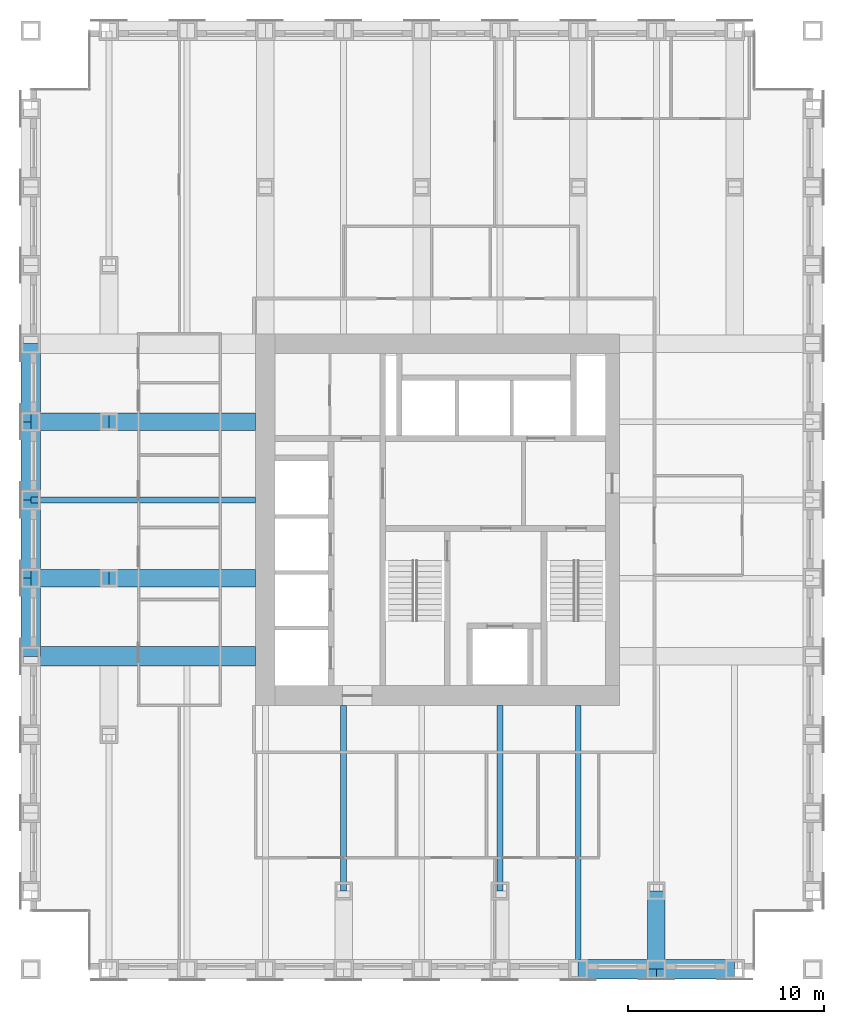
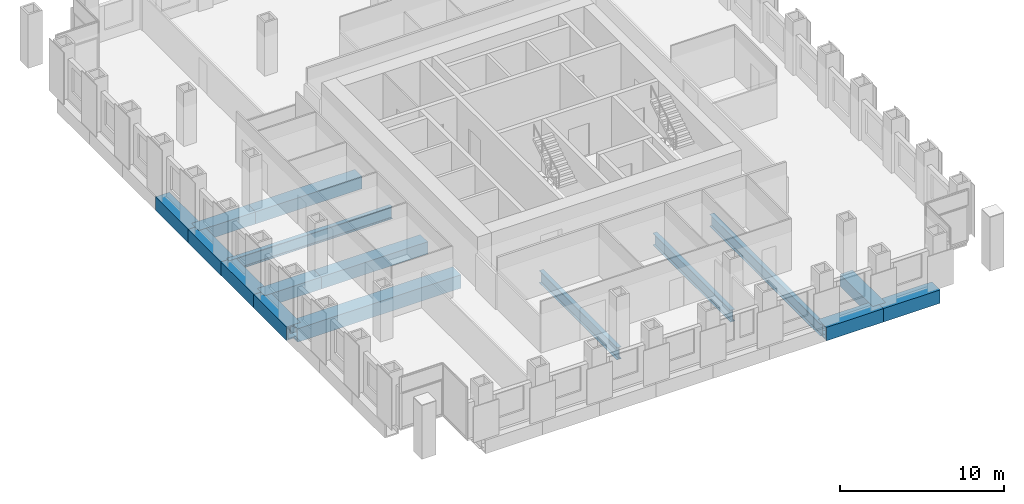
# One storey, part 3 of 12: 16 beams.
"""IFC4 building model written with IfcOpenShell, lengths in metres."""

from ifc_helpers import new_model, si_unit, direction, frame, origin, origin_2d, place, context, subcontext, project, spatial, hollow_rectangle, i_section, extrude, material, material_profile, profile_set, type_object, element, save


model = new_model("IFC4")

# Units and contexts
model_context = context("Model", 3, precision=1e-05, world=origin(), true_north=direction((0.0, 1.0)))
body_context = subcontext(model_context, "Body", "Model", "MODEL_VIEW")
ifc_project = project(units=[si_unit("LENGTHUNIT", "METRE"), si_unit("AREAUNIT", "SQUARE_METRE"), si_unit("VOLUMEUNIT", "CUBIC_METRE"), si_unit("PLANEANGLEUNIT", "RADIAN"), si_unit("MASSUNIT", "GRAM", prefix="KILO")], contexts=[model_context])

# Site, building, storey
site_placement = place(None, origin())
site = spatial("IfcSite", under=ifc_project, at=site_placement, CompositionType="ELEMENT")
building_placement = place(site_placement, origin())
building = spatial("IfcBuilding", under=site, at=building_placement, Name="Rimbunsela Tower", CompositionType="ELEMENT")
storey_placement = place(building_placement, frame((0.0, 0.0, 167.800048828125)))
storey = spatial("IfcBuildingStorey", under=building, at=storey_placement, Name="L40", CompositionType="ELEMENT", Elevation=167.800048828125)

# Beams
ifc_material_1 = material(Name="Steel BJ 55 (fy 410 MPa)", Category="steel")
ifc_material_profile_1 = material_profile(ifc_material_1, hollow_rectangle(XDim=1.0, YDim=1.0, WallThickness=0.10009765625, at=origin_2d()), Name="BOX 1000x1000x100")
ifc_profile_set_1 = profile_set([ifc_material_profile_1], Name="Steel BJ 55 (fy 410 MPa)")
beam_type_1 = type_object("IfcBeamType", Name="Beam BOX 1000x1000x100", PredefinedType="BEAM", material=ifc_profile_set_1)
beam_1_placement = place(storey_placement, frame((6.0, 20.0, -0.650146484375), z_axis=(0.0, 1.0, 0.0), x_axis=(-1.0, 0.0, 0.0)))
element("IfcBeam", 1, at=beam_1_placement, inside=storey, type_object=beam_type_1, Name="Beam B3 L40", PredefinedType="BEAM", context=body_context, shape_type="SweptSolid", body=[
    extrude(hollow_rectangle(XDim=1.0, YDim=1.0, WallThickness=0.10009765625, at=origin_2d()), origin(), (0.0, 0.0, 1.0), 4.0),
])
beam_2_placement = place(storey_placement, frame((6.0, 20.0, -0.650146484375), z_axis=(1.0, 0.0, 0.0), x_axis=(0.0, 1.0, 0.0)))
element("IfcBeam", 2, at=beam_2_placement, inside=storey, type_object=beam_type_1, Name="Beam B3 L40", PredefinedType="BEAM", context=body_context, shape_type="SweptSolid", body=[
    extrude(hollow_rectangle(XDim=1.0, YDim=1.0, WallThickness=0.10009765625, at=origin_2d()), origin(), (0.0, 0.0, 1.0), 11.5),
])
for number, where, z_axis, x_axis, name in (
    (3, (6.0, 24.0, -0.650146484375), (0.0, 1.0, 0.0), (-1.0, 0.0, 0.0), "Beam B3 L40"),
    (4, (6.0, 28.0, -0.650146484375), (0.0, 1.0, 0.0), (-1.0, 0.0, 0.0), "Beam B3 L40"),
    (5, (6.0, 32.0, -0.650146484375), (0.0, 1.0, 0.0), (-1.0, 0.0, 0.0), "Beam B3 L40"),
    (6, (34.0, 4.0, -0.650146484375), (1.0, 0.0, 0.0), (0.0, 1.0, 0.0), "Beam B3 L40"),
    (7, (38.0, 4.0, -0.650146484375), (1.0, 0.0, 0.0), (0.0, 1.0, 0.0), "Beam B3 L40"),
):
    element("IfcBeam", number, at=place(storey_placement, frame(where, z_axis=z_axis, x_axis=x_axis)), inside=storey, type_object=beam_type_1, Name=name, PredefinedType="BEAM", context=body_context, shape_type="SweptSolid", body=[
        extrude(hollow_rectangle(XDim=1.0, YDim=1.0, WallThickness=0.10009765625, at=origin_2d()), origin(), (0.0, 0.0, 1.0), 4.0),
    ])
ifc_material_2 = material(Name="Steel BJ 55 (fy 410 MPa)", Category="steel")
ifc_material_profile_2 = material_profile(ifc_material_2, hollow_rectangle(XDim=0.89990234375, YDim=0.89990234375, WallThickness=0.06005859375, at=origin_2d()), Name="BOX 900x900x60")
ifc_profile_set_2 = profile_set([ifc_material_profile_2], Name="Steel BJ 55 (fy 410 MPa)")
beam_type_2 = type_object("IfcBeamType", Name="Beam BOX 900x900x60", PredefinedType="BEAM", material=ifc_profile_set_2)
for number, where, z_axis, x_axis, name in (
    (8, (6.0, 24.0, -0.60009765625), (1.0, 0.0, 0.0), (0.0, 1.0, 0.0), "Beam B1 L40"),
    (9, (6.0, 32.0, -0.60009765625), (1.0, 0.0, 0.0), (0.0, 1.0, 0.0), "Beam B1 L40"),
):
    element("IfcBeam", number, at=place(storey_placement, frame(where, z_axis=z_axis, x_axis=x_axis)), inside=storey, type_object=beam_type_2, Name=name, PredefinedType="BEAM", context=body_context, shape_type="SweptSolid", body=[
        extrude(hollow_rectangle(XDim=0.89990234375, YDim=0.89990234375, WallThickness=0.06005859375, at=origin_2d()), origin(), (0.0, 0.0, 1.0), 4.0),
    ])
for number, where, z_axis, x_axis, name in (
    (10, (10.0, 24.0, -0.60009765625), (1.0, 0.0, 0.0), (0.0, 1.0, 0.0), "Beam B1 L40"),
    (11, (10.0, 32.0, -0.60009765625), (1.0, 0.0, 0.0), (0.0, 1.0, 0.0), "Beam B1 L40"),
):
    element("IfcBeam", number, at=place(storey_placement, frame(where, z_axis=z_axis, x_axis=x_axis)), inside=storey, type_object=beam_type_2, Name=name, PredefinedType="BEAM", context=body_context, shape_type="SweptSolid", body=[
        extrude(hollow_rectangle(XDim=0.89990234375, YDim=0.89990234375, WallThickness=0.06005859375, at=origin_2d()), origin(), (0.0, 0.0, 1.0), 7.5),
    ])
beam_3_placement = place(storey_placement, frame((38.0, 4.0, -0.60009765625), z_axis=(0.0, 1.0, 0.0), x_axis=(-1.0, 0.0, 0.0)))
element("IfcBeam", 12, at=beam_3_placement, inside=storey, type_object=beam_type_2, Name="Beam B1 L40", PredefinedType="BEAM", context=body_context, shape_type="SweptSolid", body=[
    extrude(hollow_rectangle(XDim=0.89990234375, YDim=0.89990234375, WallThickness=0.06005859375, at=origin_2d()), origin(), (0.0, 0.0, 1.0), 4.0),
])
ifc_material_3 = material(Name="Steel BJ 55 (fy 410 MPa)", Category="steel")
ifc_material_profile_3 = material_profile(ifc_material_3, i_section(OverallWidth=0.300048828125, OverallDepth=0.89990234375, WebThickness=0.01611328125, FlangeThickness=0.028076171875, FilletRadius=0.028076171875, at=origin_2d()), Name="H 900x300x16x28")
ifc_profile_set_3 = profile_set([ifc_material_profile_3], Name="Steel BJ 55 (fy 410 MPa)")
beam_type_3 = type_object("IfcBeamType", Name="Beam H 900x300x16x28", PredefinedType="BEAM", material=ifc_profile_set_3)
beam_4_placement = place(storey_placement, frame((6.0, 28.0, -0.60009765625), z_axis=(1.0, 0.0, 0.0), x_axis=(0.0, 1.0, 0.0)))
element("IfcBeam", 13, at=beam_4_placement, inside=storey, type_object=beam_type_3, Name="Beam B2 L40", PredefinedType="BEAM", context=body_context, shape_type="SweptSolid", body=[
    extrude(i_section(OverallWidth=0.300048828125, OverallDepth=0.89990234375, WebThickness=0.01611328125, FlangeThickness=0.028076171875, FilletRadius=0.028076171875, at=origin_2d()), origin(), (0.0, 0.0, 1.0), 11.5),
])
for number, where, z_axis, x_axis, name in (
    (14, (22.0, 8.0, -0.60009765625), (0.0, 1.0, 0.0), (-1.0, 0.0, 0.0), "Beam B2 L40"),
    (15, (30.0, 8.0, -0.60009765625), (0.0, 1.0, 0.0), (-1.0, 0.0, 0.0), "Beam B2 L40"),
):
    element("IfcBeam", number, at=place(storey_placement, frame(where, z_axis=z_axis, x_axis=x_axis)), inside=storey, type_object=beam_type_3, Name=name, PredefinedType="BEAM", context=body_context, shape_type="SweptSolid", body=[
        extrude(i_section(OverallWidth=0.300048828125, OverallDepth=0.89990234375, WebThickness=0.01611328125, FlangeThickness=0.028076171875, FilletRadius=0.028076171875, at=origin_2d()), origin(), (0.0, 0.0, 1.0), 9.5),
    ])
beam_5_placement = place(storey_placement, frame((34.0, 4.0, -0.60009765625), z_axis=(0.0, 1.0, 0.0), x_axis=(-1.0, 0.0, 0.0)))
element("IfcBeam", 16, at=beam_5_placement, inside=storey, type_object=beam_type_3, Name="Beam B2 L40", PredefinedType="BEAM", context=body_context, shape_type="SweptSolid", body=[
    extrude(i_section(OverallWidth=0.300048828125, OverallDepth=0.89990234375, WebThickness=0.01611328125, FlangeThickness=0.028076171875, FilletRadius=0.028076171875, at=origin_2d()), origin(), (0.0, 0.0, 1.0), 13.5),
])

save(model, "model.ifc")
